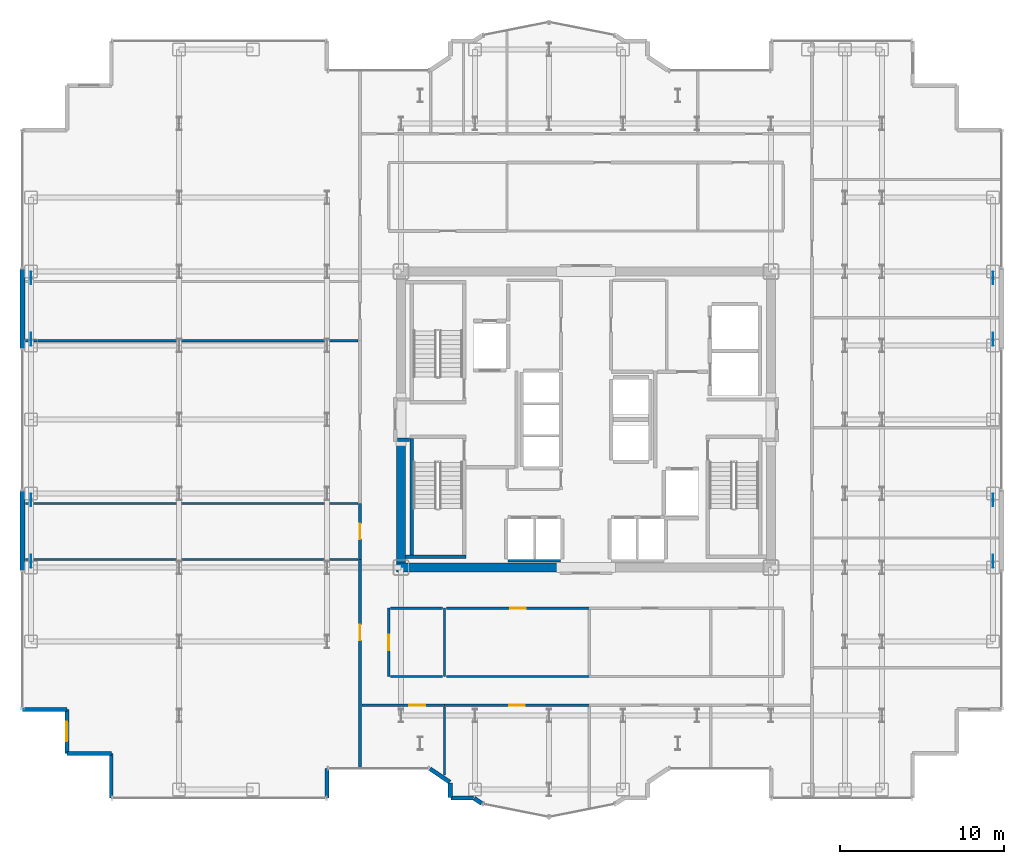
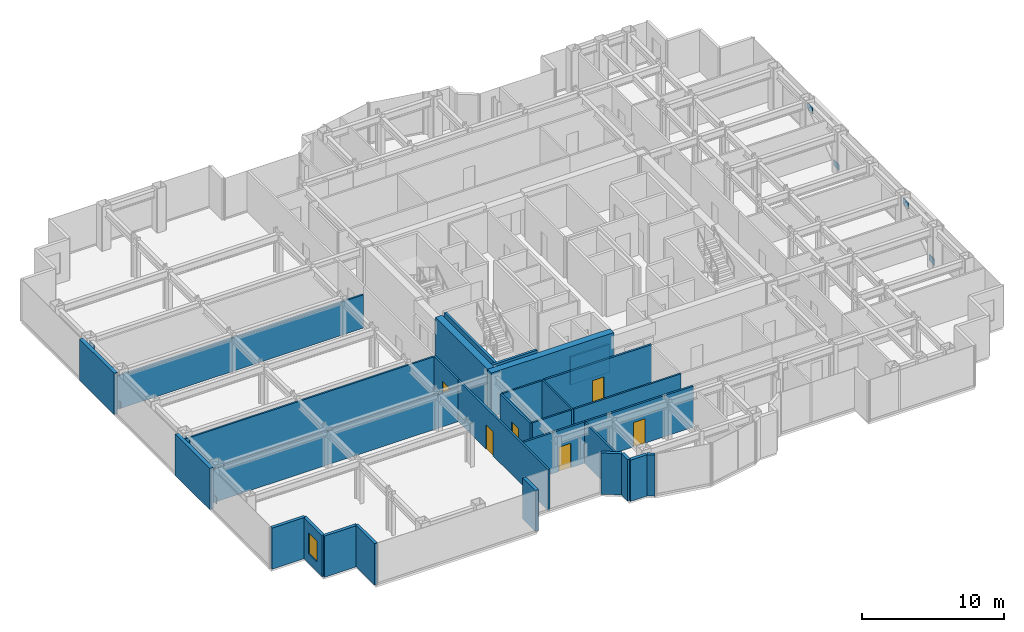
# One storey, part 20 of 26: 31 walls, 8 plates, 6 doors, 1 window, 7 openings.
"""IFC4 building model written with IfcOpenShell, lengths in metres."""

from ifc_helpers import new_model, si_unit, direction, frame, frame_2d, origin, origin_2d, place, context, subcontext, project, spatial, rectangle, extrude, source, transform, mapped, material, layer, layer_set, type_object, element, fill, save


model = new_model("IFC4")

# Units and contexts
model_context = context("Model", 3, precision=1e-05, world=origin(), true_north=direction((0.0, 1.0)))
body_context = subcontext(model_context, "Body", "Model", "MODEL_VIEW")
ifc_project = project(units=[si_unit("LENGTHUNIT", "METRE"), si_unit("AREAUNIT", "SQUARE_METRE"), si_unit("VOLUMEUNIT", "CUBIC_METRE"), si_unit("PLANEANGLEUNIT", "RADIAN"), si_unit("MASSUNIT", "GRAM", prefix="KILO")], contexts=[model_context])

# Site, building, storey
site_placement = place(None, origin())
site = spatial("IfcSite", under=ifc_project, at=site_placement, CompositionType="ELEMENT")
building_placement = place(site_placement, origin())
building = spatial("IfcBuilding", under=site, at=building_placement, Name="Nefas-Gora Pilgrimage Tower", CompositionType="ELEMENT")
storey_placement = place(building_placement, frame((0.0, 0.0, 160.199951171875)))
storey = spatial("IfcBuildingStorey", under=building, at=storey_placement, Name="L39", CompositionType="ELEMENT", Elevation=160.199951171875)

# Plates
ifc_material_1 = material(Name="Steel S460", Category="steel")
ifc_layer_1 = layer(ifc_material_1, 0.050048828125)
ifc_layer_set_1 = layer_set([ifc_layer_1], Name="Steel S460")
plate_type = type_object("IfcPlateType", Name="PLT-NODE-N08", PredefinedType="USERDEFINED", material=ifc_layer_set_1)
shared_shape_1 = source(origin(), body_context, "Body", "SweptSolid", [
    extrude(rectangle(XDim=0.780029296875, YDim=0.0380859375, at=origin_2d()), origin(), (0.0, 0.0, 1.0), 0.5400390625),
])
for number, where, z_axis, x_axis, name in (
    (1, (-33.75, -8.612060546875, 0.15771484375), (0.0, 0.0, 1.0), (0.0, 1.0, 0.0), "Structural Node Gusset Plate N08 (L39)"),
    (2, (-33.75, -4.887939453125, 2.822509765625), (0.0, 0.0, 1.0), (0.0, 1.0, 0.0), "Structural Node Gusset Plate N08 (L39)"),
    (3, (-33.75, 4.887939453125, 0.15771484375), (0.0, 0.0, 1.0), (0.0, 1.0, 0.0), "Structural Node Gusset Plate N08 (L39)"),
    (4, (-33.75, 8.612060546875, 2.822509765625), (0.0, 0.0, 1.0), (0.0, 1.0, 0.0), "Structural Node Gusset Plate N08 (L39)"),
    (5, (24.75, -8.612060546875, 0.15771484375), (0.0, 0.0, 1.0), (0.0, 1.0, 0.0), "Structural Node Gusset Plate N08 (L39)"),
    (6, (24.75, -4.887939453125, 2.822509765625), (0.0, 0.0, 1.0), (0.0, 1.0, 0.0), "Structural Node Gusset Plate N08 (L39)"),
    (7, (24.75, 4.887939453125, 0.15771484375), (0.0, 0.0, 1.0), (0.0, 1.0, 0.0), "Structural Node Gusset Plate N08 (L39)"),
    (8, (24.75, 8.612060546875, 2.822509765625), (0.0, 0.0, 1.0), (0.0, 1.0, 0.0), "Structural Node Gusset Plate N08 (L39)"),
):
    element("IfcPlate", number, at=place(storey_placement, frame(where, z_axis=z_axis, x_axis=x_axis)), inside=storey, type_object=plate_type, Name=name, ObjectType="GUSSET_PLATE", PredefinedType="USERDEFINED", context=body_context, shape_type="MappedRepresentation", body=[
        mapped(shared_shape_1, transform((0.0, 0.0, 0.0), x_axis=(1.0, 0.0, 0.0), y_axis=(0.0, 1.0, 0.0), z_axis=(0.0, 0.0, 1.0), scale=1.0)),
    ])

# Walls
ifc_material_2 = material(Name="Concrete C60/75", Category="concrete")
ifc_layer_2 = layer(ifc_material_2, 0.550048828125)
ifc_layer_set_2 = layer_set([ifc_layer_2], Name="Concrete C60/75")
wall_type_1 = type_object("IfcWallType", Name="SW-CORE-550", PredefinedType="SHEAR", material=ifc_layer_set_2)
shared_shape_2 = source(origin(), body_context, "Body", "SweptSolid", [
    extrude(rectangle(XDim=9.974853515625, YDim=0.550048828125, at=frame_2d((4.9873046875, 0.0))), origin(), (0.0, 0.0, 1.0), 3.800048828125),
])
wall_1_placement = place(storey_placement, frame((-11.52490234375, -9.0, 0.0), z_axis=(0.0, 0.0, 1.0), x_axis=(1.0, 0.0, 0.0)))
element("IfcWall", 9, at=wall_1_placement, inside=storey, type_object=wall_type_1, Name="L39 Core Shear Wall S-West", PredefinedType="SHEAR", context=body_context, shape_type="MappedRepresentation", body=[
    mapped(shared_shape_2, transform((0.0, 0.0, 0.0), x_axis=(1.0, 0.0, 0.0), y_axis=(0.0, 1.0, 0.0), z_axis=(0.0, 0.0, 1.0), scale=1.0)),
])
shared_shape_3 = source(origin(), body_context, "Body", "SweptSolid", [
    extrude(rectangle(XDim=7.375, YDim=0.550048828125, at=frame_2d((3.6875, 0.0))), origin(), (0.0, 0.0, 1.0), 3.800048828125),
])
wall_2_placement = place(storey_placement, frame((-11.25, -8.72509765625, 0.0), z_axis=(0.0, 0.0, 1.0), x_axis=(0.0, 1.0, 0.0)))
element("IfcWall", 10, at=wall_2_placement, inside=storey, type_object=wall_type_1, Name="L39 Core Shear Wall W-South", PredefinedType="SHEAR", context=body_context, shape_type="MappedRepresentation", body=[
    mapped(shared_shape_3, transform((0.0, 0.0, 0.0), x_axis=(1.0, 0.0, 0.0), y_axis=(0.0, 1.0, 0.0), z_axis=(0.0, 0.0, 1.0), scale=1.0)),
])
ifc_material_3 = material(Name="Precast concrete C45/55", Category="concrete")
ifc_layer_3 = layer(ifc_material_3, 0.239990234375)
ifc_layer_set_3 = layer_set([ifc_layer_3], Name="Precast concrete C45/55")
wall_type_2 = type_object("IfcWallType", Name="EW-SERR-240", PredefinedType="SHEAR", material=ifc_layer_set_3)
shared_shape_4 = source(origin(), body_context, "Body", "SweptSolid", [
    extrude(rectangle(XDim=4.8798828125, YDim=0.300048828125, at=frame_2d((2.43994140625, 0.0))), origin(), (0.0, 0.0, 1.0), 3.550048828125),
])
for number, where, z_axis, x_axis, name in (
    (11, (-34.27001953125, -9.18994140625, 0.0), (0.0, 0.0, 1.0), (0.0, 1.0, 0.0), "L39 Braced-Tube Precast Shear Cladding 1"),
    (12, (-34.27001953125, 4.31005859375, 0.0), (0.0, 0.0, 1.0), (0.0, 1.0, 0.0), "L39 Braced-Tube Precast Shear Cladding 2"),
):
    element("IfcWall", number, at=place(storey_placement, frame(where, z_axis=z_axis, x_axis=x_axis)), inside=storey, type_object=wall_type_2, Name=name, PredefinedType="SHEAR", context=body_context, shape_type="MappedRepresentation", body=[
        mapped(shared_shape_4, transform((0.0, 0.0, 0.0), x_axis=(1.0, 0.0, 0.0), y_axis=(0.0, 1.0, 0.0), z_axis=(0.0, 0.0, 1.0), scale=1.0)),
    ])
ifc_material_4 = material(Name="Precast concrete C40/50", Category="concrete")
ifc_layer_4 = layer(ifc_material_4, 0.260009765625)
ifc_layer_set_4 = layer_set([ifc_layer_4], Name="Precast concrete C40/50")
wall_type_3 = type_object("IfcWallType", Name="EW-PORTAL-260", PredefinedType="SOLIDWALL", material=ifc_layer_set_4)
shared_shape_5 = source(origin(), body_context, "Body", "SweptSolid", [
    extrude(rectangle(XDim=1.800048828125, YDim=0.260009765625, at=frame_2d((0.89990234375, 0.0))), origin(), (0.0, 0.0, 1.0), 3.550048828125),
])
wall_3_placement = place(storey_placement, frame((-15.75, -23.02001953125, 0.0), z_axis=(0.0, 0.0, 1.0), x_axis=(0.0, 1.0, 0.0)))
element("IfcWall", 13, at=wall_3_placement, inside=storey, type_object=wall_type_3, Name="L39 Lobe Shoulder Precast Spandrel Pier 32", PredefinedType="SOLIDWALL", context=body_context, shape_type="MappedRepresentation", body=[
    mapped(shared_shape_5, transform((0.0, 0.0, 0.0), x_axis=(1.0, 0.0, 0.0), y_axis=(0.0, 1.0, 0.0), z_axis=(0.0, 0.0, 1.0), scale=1.0)),
])
shared_shape_6 = source(origin(), body_context, "Body", "SweptSolid", [
    extrude(rectangle(XDim=2.699951171875, YDim=0.239990234375, at=frame_2d((1.35009765625, 0.0))), origin(), (0.0, 0.0, 1.0), 3.550048828125),
])
wall_4_placement = place(storey_placement, frame((-34.27001953125, -17.6201171875, 0.0), z_axis=(0.0, 0.0, 1.0), x_axis=(1.0, 0.0, 0.0)))
element("IfcWall", 14, at=wall_4_placement, inside=storey, type_object=wall_type_2, Name="L39 Serrated Corner Shear Pier Wall 28", PredefinedType="SHEAR", context=body_context, shape_type="MappedRepresentation", body=[
    mapped(shared_shape_6, transform((0.0, 0.0, 0.0), x_axis=(1.0, 0.0, 0.0), y_axis=(0.0, 1.0, 0.0), z_axis=(0.0, 0.0, 1.0), scale=1.0)),
])

# Wall, opening, window
wall_5_placement = place(storey_placement, frame((-31.570068359375, -17.6201171875, 0.0), z_axis=(0.0, 0.0, 1.0), x_axis=(0.0, -1.0, 0.0)))
wall_5 = element("IfcWall", 15, at=wall_5_placement, inside=storey, type_object=wall_type_2, Name="L39 Serrated Corner Shear Pier Wall 29", PredefinedType="SHEAR", context=body_context, shape_type="MappedRepresentation", body=[
    mapped(shared_shape_6, transform((0.0, 0.0, 0.0), x_axis=(1.0, 0.0, 0.0), y_axis=(0.0, 1.0, 0.0), z_axis=(0.0, 0.0, 1.0), scale=1.0)),
])
opening_1_placement = place(wall_5_placement, frame((0.75, 0.0, 0.85009765625)))
opening_1 = element("IfcOpeningElement", 16, at=opening_1_placement, cuts=wall_5, Name="Opening W-V1", PredefinedType="OPENING", context=body_context, shape_type="SweptSolid", body=[
    extrude(rectangle(XDim=1.199951171875, YDim=1.800048828125, at=frame_2d((0.60009765625, 0.89990234375))), frame((0.0, 0.1298828125, 0.0), z_axis=(0.0, -1.0, 0.0), x_axis=(1.0, 0.0, 0.0)), (0.0, 0.0, 1.0), 0.260009765625),
])
ifc_material_5 = material(Name="Dark ceramic-fritted operable aluminium-glass window", Category="aluminium")
window_type = type_object("IfcWindowType", Name="WIN-VENT-1200x1800", PartitioningType="SINGLE_PANEL", PredefinedType="WINDOW", material=ifc_material_5)
shared_shape_7 = source(origin(), body_context, "Body", "SweptSolid", [
    extrude(rectangle(XDim=1.199951171875, YDim=1.800048828125, at=frame_2d((0.60009765625, 0.89990234375))), frame((0.0, 0.030029296875, 0.0), z_axis=(0.0, -1.0, 0.0), x_axis=(1.0, 0.0, 0.0)), (0.0, 0.0, 1.0), 0.06005859375),
])
window_placement = place(opening_1_placement, origin())
window = element("IfcWindow", 17, at=window_placement, inside=storey, type_object=window_type, Name="L39 Operable Parallel-Outswing Window 29", OverallHeight=1.800048828125, OverallWidth=1.199951171875, PartitioningType="SINGLE_PANEL", PredefinedType="WINDOW", context=body_context, shape_type="MappedRepresentation", body=[
    mapped(shared_shape_7, transform((0.0, 0.0, 0.0), x_axis=(1.0, 0.0, 0.0), y_axis=(0.0, 1.0, 0.0), z_axis=(0.0, 0.0, 1.0), scale=1.0)),
])
fill(opening_1, window)

# Walls
for number, where, z_axis, x_axis, name in (
    (18, (-31.570068359375, -20.320068359375, 0.0), (0.0, 0.0, 1.0), (1.0, 0.0, 0.0), "L39 Serrated Corner Shear Pier Wall 30"),
    (19, (-28.8701171875, -20.320068359375, 0.0), (0.0, 0.0, 1.0), (0.0, -1.0, 0.0), "L39 Serrated Corner Shear Pier Wall 31"),
):
    element("IfcWall", number, at=place(storey_placement, frame(where, z_axis=z_axis, x_axis=x_axis)), inside=storey, type_object=wall_type_2, Name=name, PredefinedType="SHEAR", context=body_context, shape_type="MappedRepresentation", body=[
        mapped(shared_shape_6, transform((0.0, 0.0, 0.0), x_axis=(1.0, 0.0, 0.0), y_axis=(0.0, 1.0, 0.0), z_axis=(0.0, 0.0, 1.0), scale=1.0)),
    ])
shared_shape_8 = source(origin(), body_context, "Body", "SweptSolid", [
    extrude(rectangle(XDim=1.468994140625, YDim=0.260009765625, at=frame_2d((0.734375, 0.0))), origin(), (0.0, 0.0, 1.0), 3.550048828125),
])
wall_6_placement = place(storey_placement, frame((-9.49462890625, -21.235595703125, 0.0), z_axis=(0.0, 0.0, 1.0), x_axis=(0.831461760506, -0.555581983884, 0.0)))
element("IfcWall", 20, at=wall_6_placement, inside=storey, type_object=wall_type_3, Name="L39 Lobe Shoulder Precast Spandrel Pier 33", PredefinedType="SOLIDWALL", context=body_context, shape_type="MappedRepresentation", body=[
    mapped(shared_shape_8, transform((0.0, 0.0, 0.0), x_axis=(1.0, 0.0, 0.0), y_axis=(0.0, 1.0, 0.0), z_axis=(0.0, 0.0, 1.0), scale=1.0)),
])
shared_shape_9 = source(origin(), body_context, "Body", "SweptSolid", [
    extrude(rectangle(XDim=0.896728515625, YDim=0.260009765625, at=frame_2d((0.4482421875, 0.0))), origin(), (0.0, 0.0, 1.0), 3.550048828125),
])
wall_7_placement = place(storey_placement, frame((-8.25, -22.09521484375, 0.0), z_axis=(0.0, 0.0, 1.0), x_axis=(0.0, -1.0, 0.0)))
element("IfcWall", 21, at=wall_7_placement, inside=storey, type_object=wall_type_3, Name="L39 Lobe Shoulder Precast Spandrel Pier 34", PredefinedType="SOLIDWALL", context=body_context, shape_type="MappedRepresentation", body=[
    mapped(shared_shape_9, transform((0.0, 0.0, 0.0), x_axis=(1.0, 0.0, 0.0), y_axis=(0.0, 1.0, 0.0), z_axis=(0.0, 0.0, 1.0), scale=1.0)),
])
shared_shape_10 = source(origin(), body_context, "Body", "SweptSolid", [
    extrude(rectangle(XDim=1.369873046875, YDim=0.260009765625, at=frame_2d((0.68505859375, 0.0))), origin(), (0.0, 0.0, 1.0), 3.550048828125),
])
wall_8_placement = place(storey_placement, frame((-8.221923828125, -23.02001953125, 0.0), z_axis=(0.0, 0.0, 1.0), x_axis=(1.0, 0.0, 0.0)))
element("IfcWall", 22, at=wall_8_placement, inside=storey, type_object=wall_type_3, Name="L39 Lobe Shoulder Precast Spandrel Pier 35", PredefinedType="SOLIDWALL", context=body_context, shape_type="MappedRepresentation", body=[
    mapped(shared_shape_10, transform((0.0, 0.0, 0.0), x_axis=(1.0, 0.0, 0.0), y_axis=(0.0, 1.0, 0.0), z_axis=(0.0, 0.0, 1.0), scale=1.0)),
])
shared_shape_11 = source(origin(), body_context, "Body", "SweptSolid", [
    extrude(rectangle(XDim=0.5654296875, YDim=0.260009765625, at=frame_2d((0.28271484375, 0.0))), origin(), (0.0, 0.0, 1.0), 3.550048828125),
])
wall_9_placement = place(storey_placement, frame((-6.80078125, -23.03564453125, 0.0), z_axis=(0.0, 0.0, 1.0), x_axis=(0.831651492666, -0.555297933317, 0.0)))
element("IfcWall", 23, at=wall_9_placement, inside=storey, type_object=wall_type_3, Name="L39 Lobe Shoulder Precast Spandrel Pier 36", PredefinedType="SOLIDWALL", context=body_context, shape_type="MappedRepresentation", body=[
    mapped(shared_shape_11, transform((0.0, 0.0, 0.0), x_axis=(1.0, 0.0, 0.0), y_axis=(0.0, 1.0, 0.0), z_axis=(0.0, 0.0, 1.0), scale=1.0)),
])
ifc_material_6 = material(Name="Concrete C45/55", Category="concrete")
ifc_layer_5 = layer(ifc_material_6, 0.199951171875)
ifc_layer_set_5 = layer_set([ifc_layer_5], Name="Concrete C45/55")
wall_type_4 = type_object("IfcWallType", Name="IW-STAIR-200", PredefinedType="SOLIDWALL", material=ifc_layer_set_5)
shared_shape_12 = source(origin(), body_context, "Body", "SweptSolid", [
    extrude(rectangle(XDim=7.10009765625, YDim=0.199951171875, at=frame_2d((3.550048828125, 0.0))), origin(), (0.0, 0.0, 1.0), 3.800048828125),
])
wall_10_placement = place(storey_placement, frame((-10.60009765625, -1.14990234375, 0.0), z_axis=(0.0, 0.0, 1.0), x_axis=(0.0, -1.0, 0.0)))
element("IfcWall", 24, at=wall_10_placement, inside=storey, type_object=wall_type_4, Name="L39 Stairwell Shear Wall ST-03-left", PredefinedType="SOLIDWALL", context=body_context, shape_type="MappedRepresentation", body=[
    mapped(shared_shape_12, transform((0.0, 0.0, 0.0), x_axis=(1.0, 0.0, 0.0), y_axis=(0.0, 1.0, 0.0), z_axis=(0.0, 0.0, 1.0), scale=1.0)),
])
shared_shape_13 = source(origin(), body_context, "Body", "SweptSolid", [
    extrude(rectangle(XDim=3.679931640625, YDim=0.199951171875, at=frame_2d((1.83984375, 0.0))), origin(), (0.0, 0.0, 1.0), 3.800048828125),
])
wall_11_placement = place(storey_placement, frame((-10.97998046875, -8.35009765625, 0.0), z_axis=(0.0, 0.0, 1.0), x_axis=(1.0, 0.0, 0.0)))
element("IfcWall", 25, at=wall_11_placement, inside=storey, type_object=wall_type_4, Name="L39 Stairwell Shear Wall ST-03-far", PredefinedType="SOLIDWALL", context=body_context, shape_type="MappedRepresentation", body=[
    mapped(shared_shape_13, transform((0.0, 0.0, 0.0), x_axis=(1.0, 0.0, 0.0), y_axis=(0.0, 1.0, 0.0), z_axis=(0.0, 0.0, 1.0), scale=1.0)),
])
ifc_material_7 = material(Name="Gypsum acoustic stud partition")
ifc_layer_6 = layer(ifc_material_7, 0.159912109375)
ifc_layer_set_6 = layer_set([ifc_layer_6], Name="Gypsum acoustic stud partition")
wall_type_5 = type_object("IfcWallType", Name="IW-CORR-160", PredefinedType="PARTITIONING", material=ifc_layer_set_6)
shared_shape_14 = source(origin(), body_context, "Body", "SweptSolid", [
    extrude(rectangle(XDim=3.199951171875, YDim=0.159912109375, at=frame_2d((1.60009765625, 0.0))), origin(), (0.0, 0.0, 1.0), 2.425048828125),
])
wall_12_placement = place(storey_placement, frame((-4.75, -8.580078125, 0.0), z_axis=(0.0, 0.0, 1.0), x_axis=(1.0, 0.0, 0.0)))
element("IfcWall", 26, at=wall_12_placement, inside=storey, type_object=wall_type_5, Name="L39 Hoistway Wall PL2-W-S", PredefinedType="PARTITIONING", context=body_context, shape_type="MappedRepresentation", body=[
    mapped(shared_shape_14, transform((0.0, 0.0, 0.0), x_axis=(1.0, 0.0, 0.0), y_axis=(0.0, 1.0, 0.0), z_axis=(0.0, 0.0, 1.0), scale=1.0)),
])
ifc_material_8 = material(Name="Gypsum fire-rated shaftwall")
ifc_layer_7 = layer(ifc_material_8, 0.199951171875)
ifc_layer_set_7 = layer_set([ifc_layer_7], Name="Gypsum fire-rated shaftwall")
wall_type_6 = type_object("IfcWallType", Name="IW-FFLOB-200", PredefinedType="PARTITIONING", material=ifc_layer_set_7)
shared_shape_15 = source(origin(), body_context, "Body", "SweptSolid", [
    extrude(rectangle(XDim=0.719970703125, YDim=0.199951171875, at=frame_2d((0.35986328125, 0.0))), origin(), (0.0, 0.0, 1.0), 3.53515625),
])
wall_13_placement = place(storey_placement, frame((-11.4599609375, -1.219970703125, 0.0), z_axis=(0.0, 0.0, 1.0), x_axis=(1.0, 0.0, 0.0)))
element("IfcWall", 27, at=wall_13_placement, inside=storey, type_object=wall_type_6, Name="L39 FF Lobby West Throat S Wall 8", PredefinedType="PARTITIONING", context=body_context, shape_type="MappedRepresentation", body=[
    mapped(shared_shape_15, transform((0.0, 0.0, 0.0), x_axis=(1.0, 0.0, 0.0), y_axis=(0.0, 1.0, 0.0), z_axis=(0.0, 0.0, 1.0), scale=1.0)),
])

# Wall, opening, door
shared_shape_16 = source(origin(), body_context, "Body", "SweptSolid", [
    extrude(rectangle(XDim=12.744873046875, YDim=0.159912109375, at=frame_2d((6.37255859375, 0.0))), origin(), (0.0, 0.0, 1.0), 3.53515625),
])
wall_14_placement = place(storey_placement, frame((-13.739990234375, -21.239990234375, 0.0), z_axis=(0.0, 0.0, 1.0), x_axis=(0.0, 1.0, 0.0)))
wall_14 = element("IfcWall", 28, at=wall_14_placement, inside=storey, type_object=wall_type_5, Name="L39 Pilgrim Tea and Beverage Pantry Partition Wall 28", PredefinedType="PARTITIONING", context=body_context, shape_type="MappedRepresentation", body=[
    mapped(shared_shape_16, transform((0.0, 0.0, 0.0), x_axis=(1.0, 0.0, 0.0), y_axis=(0.0, 1.0, 0.0), z_axis=(0.0, 0.0, 1.0), scale=1.0)),
])
opening_2_placement = place(wall_14_placement, frame((7.8125, 0.0, 0.0)))
opening_2 = element("IfcOpeningElement", 29, at=opening_2_placement, cuts=wall_14, Name="Opening ID-GR1", PredefinedType="OPENING", context=body_context, shape_type="SweptSolid", body=[
    extrude(rectangle(XDim=0.949951171875, YDim=2.10009765625, at=frame_2d((0.47509765625, 1.050048828125))), frame((0.0, 0.08984375, 0.0), z_axis=(0.0, -1.0, 0.0), x_axis=(1.0, 0.0, 0.0)), (0.0, 0.0, 1.0), 0.179931640625),
])
ifc_material_9 = material(Name="Solid core oak fire-rated guest entrance door")
door_type = type_object("IfcDoorType", Name="DR-INT-GUEST-950", OperationType="NOTDEFINED", PredefinedType="DOOR", material=ifc_material_9)
shared_shape_17 = source(origin(), body_context, "Body", "SweptSolid", [
    extrude(rectangle(XDim=0.949951171875, YDim=2.10009765625, at=frame_2d((0.47509765625, 1.050048828125))), frame((0.0, 0.02490234375, 0.0), z_axis=(0.0, -1.0, 0.0), x_axis=(1.0, 0.0, 0.0)), (0.0, 0.0, 1.0), 0.050048828125),
])
door_1_placement = place(opening_2_placement, origin())
door_1 = element("IfcDoor", 30, at=door_1_placement, inside=storey, type_object=door_type, Name="L39 Pilgrim Tea and Beverage Pantry Door 11", OperationType="SINGLE_SWING_RIGHT", OverallHeight=2.10009765625, OverallWidth=0.949951171875, PredefinedType="DOOR", context=body_context, shape_type="MappedRepresentation", body=[
    mapped(shared_shape_17, transform((0.0, 0.0, 0.0), x_axis=(1.0, 0.0, 0.0), y_axis=(0.0, 1.0, 0.0), z_axis=(0.0, 0.0, 1.0), scale=1.0)),
])
fill(opening_2, door_1)

shared_shape_18 = source(origin(), body_context, "Body", "SweptSolid", [
    extrude(rectangle(XDim=3.409912109375, YDim=0.159912109375, at=frame_2d((1.705078125, 0.0))), origin(), (0.0, 0.0, 1.0), 3.53515625),
])
wall_15_placement = place(storey_placement, frame((-13.739990234375, -8.5048828125, 0.0), z_axis=(0.0, 0.0, 1.0), x_axis=(0.0, 1.0, 0.0)))
wall_15 = element("IfcWall", 31, at=wall_15_placement, inside=storey, type_object=wall_type_5, Name="L39 Pilgrim Fellowship Seminar Room Partition Wall 30", PredefinedType="PARTITIONING", context=body_context, shape_type="MappedRepresentation", body=[
    mapped(shared_shape_18, transform((0.0, 0.0, 0.0), x_axis=(1.0, 0.0, 0.0), y_axis=(0.0, 1.0, 0.0), z_axis=(0.0, 0.0, 1.0), scale=1.0)),
])
opening_3_placement = place(wall_15_placement, frame((1.22998046875, 0.0, 0.0)))
opening_3 = element("IfcOpeningElement", 32, at=opening_3_placement, cuts=wall_15, Name="Opening ID-GR1", PredefinedType="OPENING", context=body_context, shape_type="SweptSolid", body=[
    extrude(rectangle(XDim=0.949951171875, YDim=2.10009765625, at=frame_2d((0.47509765625, 1.050048828125))), frame((0.0, 0.08984375, 0.0), z_axis=(0.0, -1.0, 0.0), x_axis=(1.0, 0.0, 0.0)), (0.0, 0.0, 1.0), 0.179931640625),
])
door_2_placement = place(opening_3_placement, origin())
door_2 = element("IfcDoor", 33, at=door_2_placement, inside=storey, type_object=door_type, Name="L39 Pilgrim Fellowship Seminar Room Door 12", OperationType="SINGLE_SWING_LEFT", OverallHeight=2.10009765625, OverallWidth=0.949951171875, PredefinedType="DOOR", context=body_context, shape_type="MappedRepresentation", body=[
    mapped(shared_shape_17, transform((0.0, 0.0, 0.0), x_axis=(1.0, 0.0, 0.0), y_axis=(0.0, 1.0, 0.0), z_axis=(0.0, 0.0, 1.0), scale=1.0)),
])
fill(opening_3, door_2)

# Wall
ifc_material_10 = material(Name="Gypsum twin-stud partition")
ifc_layer_8 = layer(ifc_material_10, 0.139892578125)
ifc_layer_set_8 = layer_set([ifc_layer_8], Name="Gypsum twin-stud partition")
wall_type_7 = type_object("IfcWallType", Name="IW-UNIT-140", PredefinedType="PARTITIONING", material=ifc_layer_set_8)
shared_shape_19 = source(origin(), body_context, "Body", "SweptSolid", [
    extrude(rectangle(XDim=20.219970703125, YDim=0.139892578125, at=frame_2d((10.10986328125, 0.0))), origin(), (0.0, 0.0, 1.0), 3.53515625),
])
wall_16_placement = place(storey_placement, frame((-34.080078125, -5.10498046875, 0.0), z_axis=(0.0, 0.0, 1.0), x_axis=(1.0, 0.0, 0.0)))
element("IfcWall", 34, at=wall_16_placement, inside=storey, type_object=wall_type_7, Name="L39 Pilgrim Fellowship Seminar Room Partition Wall 31", PredefinedType="PARTITIONING", context=body_context, shape_type="MappedRepresentation", body=[
    mapped(shared_shape_19, transform((0.0, 0.0, 0.0), x_axis=(1.0, 0.0, 0.0), y_axis=(0.0, 1.0, 0.0), z_axis=(0.0, 0.0, 1.0), scale=1.0)),
])

# Wall, opening, door
shared_shape_20 = source(origin(), body_context, "Body", "SweptSolid", [
    extrude(rectangle(XDim=5.025146484375, YDim=0.159912109375, at=frame_2d((2.5126953125, 0.0))), origin(), (0.0, 0.0, 1.0), 3.53515625),
])
wall_17_placement = place(storey_placement, frame((-13.6201171875, -17.3701171875, 0.0), z_axis=(0.0, 0.0, 1.0), x_axis=(1.0, 0.0, 0.0)))
wall_17 = element("IfcWall", 35, at=wall_17_placement, inside=storey, type_object=wall_type_5, Name="L39 Pilgrim Contemplative Lounge Partition Wall 64", PredefinedType="PARTITIONING", context=body_context, shape_type="MappedRepresentation", body=[
    mapped(shared_shape_20, transform((0.0, 0.0, 0.0), x_axis=(1.0, 0.0, 0.0), y_axis=(0.0, 1.0, 0.0), z_axis=(0.0, 0.0, 1.0), scale=1.0)),
])
opening_4_placement = place(wall_17_placement, frame((2.881103515625, 0.0, 0.0)))
opening_4 = element("IfcOpeningElement", 36, at=opening_4_placement, cuts=wall_17, Name="Opening ID-GR1", PredefinedType="OPENING", context=body_context, shape_type="SweptSolid", body=[
    extrude(rectangle(XDim=0.949951171875, YDim=2.10009765625, at=frame_2d((0.47509765625, 1.050048828125))), frame((0.0, 0.08984375, 0.0), z_axis=(0.0, -1.0, 0.0), x_axis=(1.0, 0.0, 0.0)), (0.0, 0.0, 1.0), 0.179931640625),
])
door_3_placement = place(opening_4_placement, origin())
door_3 = element("IfcDoor", 37, at=door_3_placement, inside=storey, type_object=door_type, Name="L39 Pilgrim Contemplative Lounge Door 29", OperationType="SINGLE_SWING_RIGHT", OverallHeight=2.10009765625, OverallWidth=0.949951171875, PredefinedType="DOOR", context=body_context, shape_type="MappedRepresentation", body=[
    mapped(shared_shape_17, transform((0.0, 0.0, 0.0), x_axis=(1.0, 0.0, 0.0), y_axis=(0.0, 1.0, 0.0), z_axis=(0.0, 0.0, 1.0), scale=1.0)),
])
fill(opening_4, door_3)

# Walls
shared_shape_21 = source(origin(), body_context, "Body", "SweptSolid", [
    extrude(rectangle(XDim=20.219970703125, YDim=0.139892578125, at=frame_2d((10.10986328125, 0.0))), origin(), (0.0, 0.0, 1.0), 2.875),
])
for number, where, z_axis, x_axis, name in (
    (38, (-34.080078125, -8.5048828125, 0.0), (0.0, 0.0, 1.0), (1.0, 0.0, 0.0), "L39 Pilgrim Tea and Beverage Pantry Partition Wall 29"),
    (39, (-34.080078125, 4.794921875, 0.0), (0.0, 0.0, 1.0), (1.0, 0.0, 0.0), "L39 Pilgrim Fellowship Seminar Room Partition Wall 33"),
):
    element("IfcWall", number, at=place(storey_placement, frame(where, z_axis=z_axis, x_axis=x_axis)), inside=storey, type_object=wall_type_7, Name=name, PredefinedType="PARTITIONING", context=body_context, shape_type="MappedRepresentation", body=[
        mapped(shared_shape_21, transform((0.0, 0.0, 0.0), x_axis=(1.0, 0.0, 0.0), y_axis=(0.0, 1.0, 0.0), z_axis=(0.0, 0.0, 1.0), scale=1.0)),
    ])
shared_shape_22 = source(origin(), body_context, "Body", "SweptSolid", [
    extrude(rectangle(XDim=4.179931640625, YDim=0.139892578125, at=frame_2d((2.08984375, 0.0))), origin(), (0.0, 0.0, 1.0), 3.53515625),
])
wall_18_placement = place(storey_placement, frame((-8.60498046875, -15.639892578125, 0.0), z_axis=(0.0, 0.0, 1.0), x_axis=(0.0, 1.0, 0.0)))
element("IfcWall", 40, at=wall_18_placement, inside=storey, type_object=wall_type_7, Name="L39 Pilgrim Contemplative Lounge Partition Wall 67", PredefinedType="PARTITIONING", context=body_context, shape_type="MappedRepresentation", body=[
    mapped(shared_shape_22, transform((0.0, 0.0, 0.0), x_axis=(1.0, 0.0, 0.0), y_axis=(0.0, 1.0, 0.0), z_axis=(0.0, 0.0, 1.0), scale=1.0)),
])

# Wall, opening, door
shared_shape_23 = source(origin(), body_context, "Body", "SweptSolid", [
    extrude(rectangle(XDim=4.179931640625, YDim=0.159912109375, at=frame_2d((2.08984375, 0.0))), origin(), (0.0, 0.0, 1.0), 3.53515625),
])
wall_19_placement = place(storey_placement, frame((-12.0, -15.639892578125, 0.0), z_axis=(0.0, 0.0, 1.0), x_axis=(0.0, 1.0, 0.0)))
wall_19 = element("IfcWall", 41, at=wall_19_placement, inside=storey, type_object=wall_type_5, Name="L39 Pilgrim Contemplative Lounge Partition Wall 66", PredefinedType="PARTITIONING", context=body_context, shape_type="MappedRepresentation", body=[
    mapped(shared_shape_23, transform((0.0, 0.0, 0.0), x_axis=(1.0, 0.0, 0.0), y_axis=(0.0, 1.0, 0.0), z_axis=(0.0, 0.0, 1.0), scale=1.0)),
])
opening_5_placement = place(wall_19_placement, frame((1.614990234375, 0.0, 0.0)))
opening_5 = element("IfcOpeningElement", 42, at=opening_5_placement, cuts=wall_19, Name="Opening ID-GR1", PredefinedType="OPENING", context=body_context, shape_type="SweptSolid", body=[
    extrude(rectangle(XDim=0.949951171875, YDim=2.10009765625, at=frame_2d((0.47509765625, 1.050048828125))), frame((0.0, 0.08984375, 0.0), z_axis=(0.0, -1.0, 0.0), x_axis=(1.0, 0.0, 0.0)), (0.0, 0.0, 1.0), 0.179931640625),
])
door_4_placement = place(opening_5_placement, origin())
door_4 = element("IfcDoor", 43, at=door_4_placement, inside=storey, type_object=door_type, Name="L39 Pilgrim Contemplative Lounge Door 30", OperationType="SINGLE_SWING_LEFT", OverallHeight=2.10009765625, OverallWidth=0.949951171875, PredefinedType="DOOR", context=body_context, shape_type="MappedRepresentation", body=[
    mapped(shared_shape_17, transform((0.0, 0.0, 0.0), x_axis=(1.0, 0.0, 0.0), y_axis=(0.0, 1.0, 0.0), z_axis=(0.0, 0.0, 1.0), scale=1.0)),
])
fill(opening_5, door_4)

# Walls
shared_shape_24 = source(origin(), body_context, "Body", "SweptSolid", [
    extrude(rectangle(XDim=4.137939453125, YDim=0.139892578125, at=frame_2d((2.06884765625, 0.0))), origin(), (0.0, 0.0, 1.0), 3.53515625),
])
wall_20_placement = place(storey_placement, frame((-8.60498046875, -21.6279296875, 0.0), z_axis=(0.0, 0.0, 1.0), x_axis=(0.0, 1.0, 0.0)))
element("IfcWall", 44, at=wall_20_placement, inside=storey, type_object=wall_type_7, Name="L39 Pilgrim Contemplative Lounge Partition Wall 65", PredefinedType="PARTITIONING", context=body_context, shape_type="MappedRepresentation", body=[
    mapped(shared_shape_24, transform((0.0, 0.0, 0.0), x_axis=(1.0, 0.0, 0.0), y_axis=(0.0, 1.0, 0.0), z_axis=(0.0, 0.0, 1.0), scale=1.0)),
])
shared_shape_25 = source(origin(), body_context, "Body", "SweptSolid", [
    extrude(rectangle(XDim=3.164794921875, YDim=0.139892578125, at=frame_2d((1.58251953125, 0.0))), origin(), (0.0, 0.0, 1.0), 3.53515625),
])
for number, where, z_axis, x_axis, name in (
    (45, (-11.8798828125, -11.469970703125, 0.0), (0.0, 0.0, 1.0), (1.0, 0.0, 0.0), "L39 Pilgrim Contemplative Lounge Partition Wall 68"),
    (46, (-11.8798828125, -15.6298828125, 0.0), (0.0, 0.0, 1.0), (1.0, 0.0, 0.0), "L39 Pilgrim Contemplative Lounge Partition Wall 69"),
):
    element("IfcWall", number, at=place(storey_placement, frame(where, z_axis=z_axis, x_axis=x_axis)), inside=storey, type_object=wall_type_7, Name=name, PredefinedType="PARTITIONING", context=body_context, shape_type="MappedRepresentation", body=[
        mapped(shared_shape_25, transform((0.0, 0.0, 0.0), x_axis=(1.0, 0.0, 0.0), y_axis=(0.0, 1.0, 0.0), z_axis=(0.0, 0.0, 1.0), scale=1.0)),
    ])

# Wall, opening, door
shared_shape_26 = source(origin(), body_context, "Body", "SweptSolid", [
    extrude(rectangle(XDim=8.81005859375, YDim=0.159912109375, at=frame_2d((4.405029296875, 0.0))), origin(), (0.0, 0.0, 1.0), 3.53515625),
])
wall_21_placement = place(storey_placement, frame((-8.60498046875, -17.3701171875, 0.0), z_axis=(0.0, 0.0, 1.0), x_axis=(1.0, 0.0, 0.0)))
wall_21 = element("IfcWall", 47, at=wall_21_placement, inside=storey, type_object=wall_type_5, Name="L39 Pilgrim Contemplative Lounge Partition Wall 70", PredefinedType="PARTITIONING", context=body_context, shape_type="MappedRepresentation", body=[
    mapped(shared_shape_26, transform((0.0, 0.0, 0.0), x_axis=(1.0, 0.0, 0.0), y_axis=(0.0, 1.0, 0.0), z_axis=(0.0, 0.0, 1.0), scale=1.0)),
])
opening_6_placement = place(wall_21_placement, frame((3.929931640625, 0.0, 0.0)))
opening_6 = element("IfcOpeningElement", 48, at=opening_6_placement, cuts=wall_21, Name="Opening ID-GR1", PredefinedType="OPENING", context=body_context, shape_type="SweptSolid", body=[
    extrude(rectangle(XDim=0.949951171875, YDim=2.10009765625, at=frame_2d((0.47509765625, 1.050048828125))), frame((0.0, 0.08984375, 0.0), z_axis=(0.0, -1.0, 0.0), x_axis=(1.0, 0.0, 0.0)), (0.0, 0.0, 1.0), 0.179931640625),
])
door_5_placement = place(opening_6_placement, origin())
door_5 = element("IfcDoor", 49, at=door_5_placement, inside=storey, type_object=door_type, Name="L39 Pilgrim Contemplative Lounge Door 31", OperationType="SINGLE_SWING_RIGHT", OverallHeight=2.10009765625, OverallWidth=0.949951171875, PredefinedType="DOOR", context=body_context, shape_type="MappedRepresentation", body=[
    mapped(shared_shape_17, transform((0.0, 0.0, 0.0), x_axis=(1.0, 0.0, 0.0), y_axis=(0.0, 1.0, 0.0), z_axis=(0.0, 0.0, 1.0), scale=1.0)),
])
fill(opening_6, door_5)

shared_shape_27 = source(origin(), body_context, "Body", "SweptSolid", [
    extrude(rectangle(XDim=8.7001953125, YDim=0.159912109375, at=frame_2d((4.35009765625, 0.0))), origin(), (0.0, 0.0, 1.0), 3.53515625),
])
wall_22_placement = place(storey_placement, frame((-8.4951171875, -11.469970703125, 0.0), z_axis=(0.0, 0.0, 1.0), x_axis=(1.0, 0.0, 0.0)))
wall_22 = element("IfcWall", 50, at=wall_22_placement, inside=storey, type_object=wall_type_5, Name="L39 Pilgrim Contemplative Lounge Partition Wall 72", PredefinedType="PARTITIONING", context=body_context, shape_type="MappedRepresentation", body=[
    mapped(shared_shape_27, transform((0.0, 0.0, 0.0), x_axis=(1.0, 0.0, 0.0), y_axis=(0.0, 1.0, 0.0), z_axis=(0.0, 0.0, 1.0), scale=1.0)),
])
opening_7_placement = place(wall_22_placement, frame((3.875, 0.0, 0.0)))
opening_7 = element("IfcOpeningElement", 51, at=opening_7_placement, cuts=wall_22, Name="Opening ID-GR1", PredefinedType="OPENING", context=body_context, shape_type="SweptSolid", body=[
    extrude(rectangle(XDim=0.949951171875, YDim=2.10009765625, at=frame_2d((0.47509765625, 1.050048828125))), frame((0.0, 0.08984375, 0.0), z_axis=(0.0, -1.0, 0.0), x_axis=(1.0, 0.0, 0.0)), (0.0, 0.0, 1.0), 0.179931640625),
])
door_6_placement = place(opening_7_placement, origin())
door_6 = element("IfcDoor", 52, at=door_6_placement, inside=storey, type_object=door_type, Name="L39 Pilgrim Contemplative Lounge Door 32", OperationType="SINGLE_SWING_LEFT", OverallHeight=2.10009765625, OverallWidth=0.949951171875, PredefinedType="DOOR", context=body_context, shape_type="MappedRepresentation", body=[
    mapped(shared_shape_17, transform((0.0, 0.0, 0.0), x_axis=(1.0, 0.0, 0.0), y_axis=(0.0, 1.0, 0.0), z_axis=(0.0, 0.0, 1.0), scale=1.0)),
])
fill(opening_7, door_6)

# Wall
shared_shape_28 = source(origin(), body_context, "Body", "SweptSolid", [
    extrude(rectangle(XDim=8.7001953125, YDim=0.139892578125, at=frame_2d((4.35009765625, 0.0))), origin(), (0.0, 0.0, 1.0), 3.53515625),
])
wall_23_placement = place(storey_placement, frame((-8.4951171875, -15.6298828125, 0.0), z_axis=(0.0, 0.0, 1.0), x_axis=(1.0, 0.0, 0.0)))
element("IfcWall", 53, at=wall_23_placement, inside=storey, type_object=wall_type_7, Name="L39 Pilgrim Contemplative Lounge Partition Wall 73", PredefinedType="PARTITIONING", context=body_context, shape_type="MappedRepresentation", body=[
    mapped(shared_shape_28, transform((0.0, 0.0, 0.0), x_axis=(1.0, 0.0, 0.0), y_axis=(0.0, 1.0, 0.0), z_axis=(0.0, 0.0, 1.0), scale=1.0)),
])

save(model, "model.ifc")
